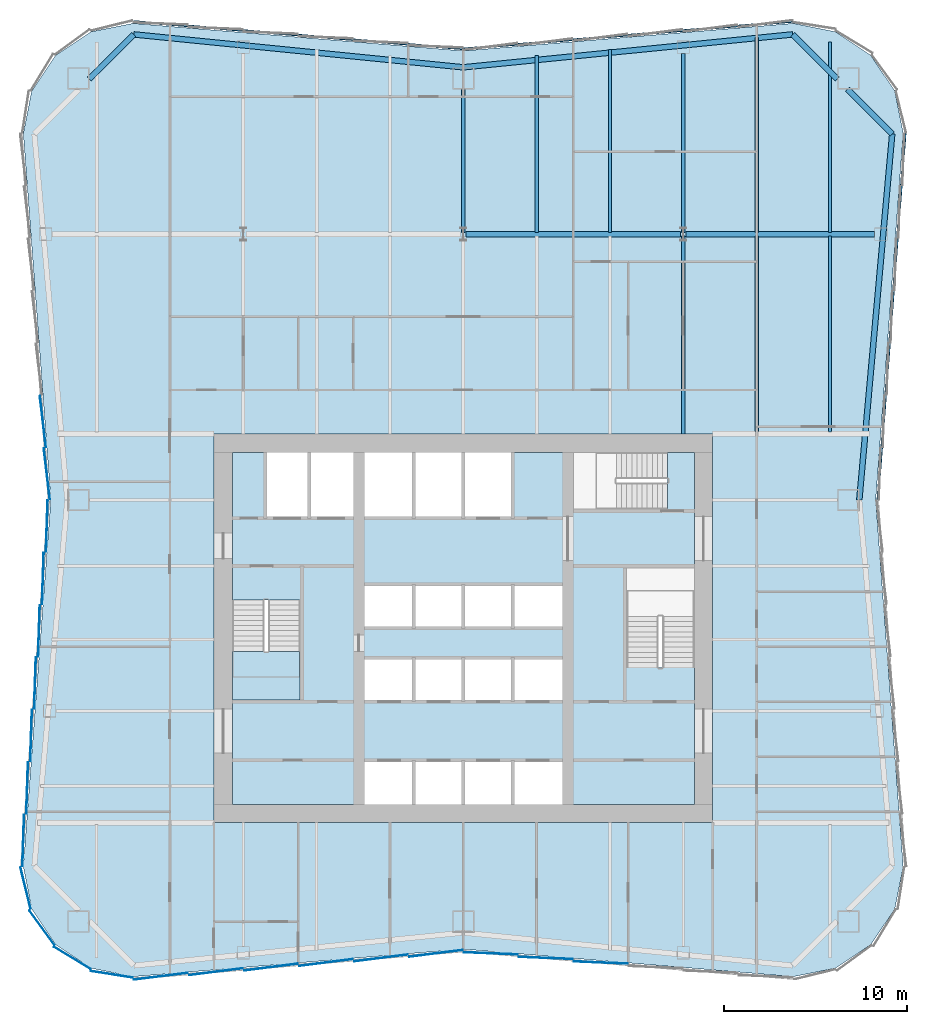
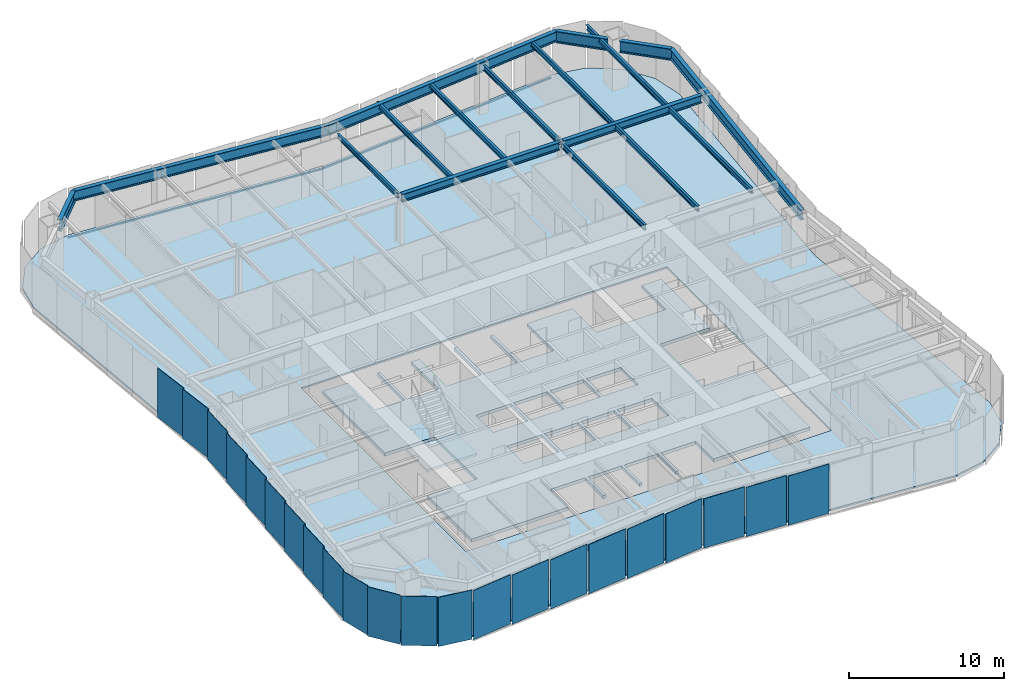
# One storey, part 2 of 8: 22 plates, 17 beams, 3 members, 3 slabs, 6 elements without a shape of their own.
"""IFC4 building model written with IfcOpenShell, lengths in metres."""

from ifc_helpers import new_model, si_unit, direction, frame, origin, origin_2d, place, context, subcontext, project, spatial, polyline, rectangle, i_section, outline, extrude, material, layer, layer_set, material_profile, profile_set, type_object, element, aggregate, save


model = new_model("IFC4")

# Units and contexts
model_context = context("Model", 3, precision=1e-05, world=origin(), true_north=direction((0.0, 1.0)))
body_context = subcontext(model_context, "Body", "Model", "MODEL_VIEW")
ifc_project = project(units=[si_unit("LENGTHUNIT", "METRE"), si_unit("AREAUNIT", "SQUARE_METRE"), si_unit("VOLUMEUNIT", "CUBIC_METRE"), si_unit("PLANEANGLEUNIT", "RADIAN"), si_unit("MASSUNIT", "GRAM", prefix="KILO")], contexts=[model_context])

# Site, building, storey
site_placement = place(None, origin())
site = spatial("IfcSite", under=ifc_project, at=site_placement, CompositionType="ELEMENT")
building_placement = place(site_placement, origin())
building = spatial("IfcBuilding", under=site, at=building_placement, Name="Verdant Reach Tower", CompositionType="ELEMENT")
storey_placement = place(building_placement, frame((0.0, 0.0, 154.0)))
storey = spatial("IfcBuildingStorey", under=building, at=storey_placement, Name="L35", CompositionType="ELEMENT", Elevation=154.0)

# Curtain wall, member
ifc_material_1 = material(Name="Anodised aluminium", Category="aluminium")
curtain_wall_type = type_object("IfcCurtainWallType", Name="EN-CW SYSTEM Z2", PredefinedType="NOTDEFINED", material=ifc_material_1)
curtain_wall_1_placement = place(storey_placement, origin())
curtain_wall_1 = element("IfcCurtainWall", 1, at=curtain_wall_1_placement, inside=storey, type_object=curtain_wall_type, Name="Curtain wall east, L35", PredefinedType="NOTDEFINED")
ifc_material_profile_1 = material_profile(ifc_material_1, rectangle(XDim=0.10009765625, YDim=0.1240234375, at=origin_2d()), Name="Transom 124x100")
ifc_profile_set_1 = profile_set([ifc_material_profile_1], Name="Anodised aluminium")
member_type = type_object("IfcMemberType", Name="EN-TRANSOM Z2", PredefinedType="USERDEFINED", material=ifc_profile_set_1)
member_1_placement = place(storey_placement, frame((22.6083984375, 35.031982421875, -0.2880859375), z_axis=(0.07476111665, 0.997201471839, 0.0), x_axis=(-0.997201471839, 0.07476111665, 0.0)))
member_1 = element("IfcMember", 2, at=member_1_placement, type_object=member_type, Name="Transom east face part 2 1.1, L35", ObjectType="TRANSOM", PredefinedType="USERDEFINED", context=body_context, shape_type="SweptSolid", body=[
    extrude(rectangle(XDim=0.10009765625, YDim=0.1240234375, at=origin_2d()), origin(), (0.0, 0.0, 1.0), 19.99853515625),
])
aggregate(curtain_wall_1, [member_1])

# Curtain wall, members
curtain_wall_2_placement = place(storey_placement, origin())
curtain_wall_2 = element("IfcCurtainWall", 3, at=curtain_wall_2_placement, inside=storey, type_object=curtain_wall_type, Name="Curtain wall north, L35", PredefinedType="NOTDEFINED")
member_2_placement = place(storey_placement, frame((17.97412109375, 61.103271484375, -0.2880859375), z_axis=(-0.996548282776, -0.083015179915, 0.0), x_axis=(0.083015179915, -0.996548282776, 0.0)))
member_2 = element("IfcMember", 4, at=member_2_placement, type_object=member_type, Name="Transom north face part 1 1.1, L35", ObjectType="TRANSOM", PredefinedType="USERDEFINED", context=body_context, shape_type="SweptSolid", body=[
    extrude(rectangle(XDim=0.10009765625, YDim=0.1240234375, at=origin_2d()), origin(), (0.0, 0.0, 1.0), 18.00439453125),
])
member_3_placement = place(storey_placement, frame((-0.031982421875, 59.608642578125, -0.2880859375), z_axis=(-0.996548282776, 0.083015179915, 0.0), x_axis=(-0.083015179915, -0.996548282776, 0.0)))
member_3 = element("IfcMember", 5, at=member_3_placement, type_object=member_type, Name="Transom north face part 2 1.1, L35", ObjectType="TRANSOM", PredefinedType="USERDEFINED", context=body_context, shape_type="SweptSolid", body=[
    extrude(rectangle(XDim=0.10009765625, YDim=0.1240234375, at=origin_2d()), origin(), (0.0, 0.0, 1.0), 18.00439453125),
])
aggregate(curtain_wall_2, [member_2, member_3])

# Beams
ifc_material_2 = material(Name="Steel S355", Category="steel")
ifc_material_profile_2 = material_profile(ifc_material_2, i_section(OverallWidth=0.300048828125, OverallDepth=0.60009765625, WebThickness=0.015380859375, FlangeThickness=0.030029296875, FilletRadius=0.027099609375, at=origin_2d()), Name="HEB 600")
ifc_profile_set_2 = profile_set([ifc_material_profile_2], Name="Steel S355")
beam_type_1 = type_object("IfcBeamType", Name="ST-BEAM-HEB600", PredefinedType="BEAM", material=ifc_profile_set_2)
beam_1_placement = place(storey_placement, frame((0.154052734375, 49.5, 3.570068359375), z_axis=(1.0, 0.0, 0.0), x_axis=(0.0, 1.0, 0.0)))
element("IfcBeam", 6, at=beam_1_placement, inside=storey, type_object=beam_type_1, Name="Row girder, L35", PredefinedType="BEAM", context=body_context, shape_type="SweptSolid", body=[
    extrude(i_section(OverallWidth=0.300048828125, OverallDepth=0.60009765625, WebThickness=0.015380859375, FlangeThickness=0.030029296875, FilletRadius=0.027099609375, at=origin_2d()), origin(), (0.0, 0.0, 1.0), 11.69189453125),
])
beam_2_placement = place(storey_placement, frame((12.154052734375, 49.5, 3.570068359375), z_axis=(1.0, 0.0, 0.0), x_axis=(0.0, 1.0, 0.0)))
element("IfcBeam", 7, at=beam_2_placement, inside=storey, type_object=beam_type_1, Name="Row girder, L35", PredefinedType="BEAM", context=body_context, shape_type="SweptSolid", body=[
    extrude(i_section(OverallWidth=0.300048828125, OverallDepth=0.60009765625, WebThickness=0.015380859375, FlangeThickness=0.030029296875, FilletRadius=0.027099609375, at=origin_2d()), origin(), (0.0, 0.0, 1.0), 10.283447265625),
])
ifc_material_profile_3 = material_profile(ifc_material_2, i_section(OverallWidth=0.169921875, OverallDepth=0.360107421875, WebThickness=0.008056640625, FlangeThickness=0.0126953125, FilletRadius=0.01806640625, at=origin_2d()), Name="IPE 360")
ifc_profile_set_3 = profile_set([ifc_material_profile_3], Name="Steel S355")
beam_type_2 = type_object("IfcBeamType", Name="ST-JOIST-IPE360", PredefinedType="JOIST", material=ifc_profile_set_3)
beam_3_placement = place(storey_placement, frame((0.0, 49.60009765625, 3.68994140625), z_axis=(0.0, 1.0, 0.0), x_axis=(-1.0, 0.0, 0.0)))
element("IfcBeam", 8, at=beam_3_placement, inside=storey, type_object=beam_type_2, Name="Floor joist, L35", PredefinedType="JOIST", context=body_context, shape_type="SweptSolid", body=[
    extrude(i_section(OverallWidth=0.169921875, OverallDepth=0.360107421875, WebThickness=0.008056640625, FlangeThickness=0.0126953125, FilletRadius=0.01806640625, at=origin_2d()), origin(), (0.0, 0.0, 1.0), 7.7998046875),
])
ifc_material_profile_4 = material_profile(ifc_material_2, i_section(OverallWidth=0.179931640625, OverallDepth=0.39990234375, WebThickness=0.008544921875, FlangeThickness=0.013427734375, FilletRadius=0.02099609375, at=origin_2d()), Name="IPE 400")
ifc_profile_set_4 = profile_set([ifc_material_profile_4], Name="Steel S355")
beam_type_3 = type_object("IfcBeamType", Name="ST-JOIST-IPE400", PredefinedType="JOIST", material=ifc_profile_set_4)
beam_4_placement = place(storey_placement, frame((4.0, 49.60009765625, 3.669921875), z_axis=(0.0, 1.0, 0.0), x_axis=(-1.0, 0.0, 0.0)))
element("IfcBeam", 9, at=beam_4_placement, inside=storey, type_object=beam_type_3, Name="Floor joist, L35", PredefinedType="JOIST", context=body_context, shape_type="SweptSolid", body=[
    extrude(i_section(OverallWidth=0.179931640625, OverallDepth=0.39990234375, WebThickness=0.008544921875, FlangeThickness=0.013427734375, FilletRadius=0.02099609375, at=origin_2d()), origin(), (0.0, 0.0, 1.0), 9.631103515625),
])
beam_5_placement = place(storey_placement, frame((8.0, 49.60009765625, 3.669921875), z_axis=(0.0, 1.0, 0.0), x_axis=(-1.0, 0.0, 0.0)))
element("IfcBeam", 10, at=beam_5_placement, inside=storey, type_object=beam_type_3, Name="Floor joist, L35", PredefinedType="JOIST", context=body_context, shape_type="SweptSolid", body=[
    extrude(i_section(OverallWidth=0.179931640625, OverallDepth=0.39990234375, WebThickness=0.008544921875, FlangeThickness=0.013427734375, FilletRadius=0.02099609375, at=origin_2d()), origin(), (0.0, 0.0, 1.0), 9.964599609375),
])
beam_6_placement = place(storey_placement, frame((12.0, 38.60009765625, 3.669921875), z_axis=(0.0, 1.0, 0.0), x_axis=(-1.0, 0.0, 0.0)))
element("IfcBeam", 11, at=beam_6_placement, inside=storey, type_object=beam_type_3, Name="Floor joist, L35", PredefinedType="JOIST", context=body_context, shape_type="SweptSolid", body=[
    extrude(i_section(OverallWidth=0.179931640625, OverallDepth=0.39990234375, WebThickness=0.008544921875, FlangeThickness=0.013427734375, FilletRadius=0.02099609375, at=origin_2d()), origin(), (0.0, 0.0, 1.0), 10.7998046875),
])
beam_7_placement = place(storey_placement, frame((12.0, 49.60009765625, 3.669921875), z_axis=(0.0, 1.0, 0.0), x_axis=(-1.0, 0.0, 0.0)))
element("IfcBeam", 12, at=beam_7_placement, inside=storey, type_object=beam_type_3, Name="Floor joist, L35", PredefinedType="JOIST", context=body_context, shape_type="SweptSolid", body=[
    extrude(i_section(OverallWidth=0.179931640625, OverallDepth=0.39990234375, WebThickness=0.008544921875, FlangeThickness=0.013427734375, FilletRadius=0.02099609375, at=origin_2d()), origin(), (0.0, 0.0, 1.0), 9.75),
])
beam_8_placement = place(storey_placement, frame((16.0, 38.699951171875, 3.669921875), z_axis=(0.0, 1.0, 0.0), x_axis=(-1.0, 0.0, 0.0)))
element("IfcBeam", 13, at=beam_8_placement, inside=storey, type_object=beam_type_3, Name="Floor joist, L35", PredefinedType="JOIST", context=body_context, shape_type="SweptSolid", body=[
    extrude(i_section(OverallWidth=0.179931640625, OverallDepth=0.39990234375, WebThickness=0.008544921875, FlangeThickness=0.013427734375, FilletRadius=0.02099609375, at=origin_2d()), origin(), (0.0, 0.0, 1.0), 10.699951171875),
])
beam_9_placement = place(storey_placement, frame((16.0, 49.60009765625, 3.669921875), z_axis=(0.0, 1.0, 0.0), x_axis=(-1.0, 0.0, 0.0)))
element("IfcBeam", 14, at=beam_9_placement, inside=storey, type_object=beam_type_3, Name="Floor joist, L35", PredefinedType="JOIST", context=body_context, shape_type="SweptSolid", body=[
    extrude(i_section(OverallWidth=0.179931640625, OverallDepth=0.39990234375, WebThickness=0.008544921875, FlangeThickness=0.013427734375, FilletRadius=0.02099609375, at=origin_2d()), origin(), (0.0, 0.0, 1.0), 10.631103515625),
])
beam_10_placement = place(storey_placement, frame((20.0, 38.699951171875, 3.669921875), z_axis=(0.0, 1.0, 0.0), x_axis=(-1.0, 0.0, 0.0)))
element("IfcBeam", 15, at=beam_10_placement, inside=storey, type_object=beam_type_3, Name="Floor joist, L35", PredefinedType="JOIST", context=body_context, shape_type="SweptSolid", body=[
    extrude(i_section(OverallWidth=0.179931640625, OverallDepth=0.39990234375, WebThickness=0.008544921875, FlangeThickness=0.013427734375, FilletRadius=0.02099609375, at=origin_2d()), origin(), (0.0, 0.0, 1.0), 10.699951171875),
])
beam_11_placement = place(storey_placement, frame((20.0, 49.60009765625, 3.669921875), z_axis=(0.0, 1.0, 0.0), x_axis=(-1.0, 0.0, 0.0)))
element("IfcBeam", 16, at=beam_11_placement, inside=storey, type_object=beam_type_3, Name="Floor joist, L35", PredefinedType="JOIST", context=body_context, shape_type="SweptSolid", body=[
    extrude(i_section(OverallWidth=0.179931640625, OverallDepth=0.39990234375, WebThickness=0.008544921875, FlangeThickness=0.013427734375, FilletRadius=0.02099609375, at=origin_2d()), origin(), (0.0, 0.0, 1.0), 10.390380859375),
])
ifc_material_profile_5 = material_profile(ifc_material_2, i_section(OverallWidth=0.300048828125, OverallDepth=0.800048828125, WebThickness=0.017578125, FlangeThickness=0.032958984375, FilletRadius=0.030029296875, at=origin_2d()), Name="HEB 800")
ifc_profile_set_5 = profile_set([ifc_material_profile_5], Name="Steel S355")
beam_type_4 = type_object("IfcBeamType", Name="ST-SPANDREL-HEB800", PredefinedType="SPANDREL", material=ifc_profile_set_5)
for number, where, z_axis, x_axis, name in (
    (17, (-17.9658203125, 60.39501953125, 3.469970703125), (0.995046289869, -0.099412680371, 0.0), (0.099412680371, 0.995046289869, 0.0), "Edge beam, L35"),
    (18, (0.0, 58.60009765625, 3.469970703125), (0.995046289869, 0.099412680371, 0.0), (-0.099412680371, 0.995046289869, 0.0), "Edge beam, L35"),
):
    element("IfcBeam", number, at=place(storey_placement, frame(where, z_axis=z_axis, x_axis=x_axis)), inside=storey, type_object=beam_type_4, Name=name, PredefinedType="SPANDREL", context=body_context, shape_type="SweptSolid", body=[
        extrude(i_section(OverallWidth=0.300048828125, OverallDepth=0.800048828125, WebThickness=0.017578125, FlangeThickness=0.032958984375, FilletRadius=0.030029296875, at=origin_2d()), origin(), (0.0, 0.0, 1.0), 18.05517578125),
    ])
beam_12_placement = place(storey_placement, frame((23.3955078125, 54.963134765625, 3.469970703125), z_axis=(-0.089574749266, -0.995980102358, 0.0), x_axis=(0.995980102358, -0.089574749266, 0.0)))
element("IfcBeam", 19, at=beam_12_placement, inside=storey, type_object=beam_type_4, Name="Edge beam, L35", PredefinedType="SPANDREL", context=body_context, shape_type="SweptSolid", body=[
    extrude(i_section(OverallWidth=0.300048828125, OverallDepth=0.800048828125, WebThickness=0.017578125, FlangeThickness=0.032958984375, FilletRadius=0.030029296875, at=origin_2d()), origin(), (0.0, 0.0, 1.0), 20.043701171875),
])
ifc_material_profile_6 = material_profile(ifc_material_2, i_section(OverallWidth=0.302001953125, OverallDepth=0.909912109375, WebThickness=0.02099609375, FlangeThickness=0.0400390625, FilletRadius=0.030029296875, at=origin_2d()), Name="HEM 900")
ifc_profile_set_6 = profile_set([ifc_material_profile_6], Name="Steel S355")
beam_type_5 = type_object("IfcBeamType", Name="ST-SPANDREL-HEM900", PredefinedType="SPANDREL", material=ifc_profile_set_6)
for number, where, z_axis, x_axis, name in (
    (20, (-20.39990234375, 57.9599609375, 3.4150390625), (0.70696494852, 0.70724858541, 0.0), (-0.70724858541, 0.70696494852, 0.0), "Edge beam, L35"),
    (21, (17.9658203125, 60.39501953125, 3.4150390625), (0.70696494852, -0.70724858541, 0.0), (0.70724858541, 0.70696494852, 0.0), "Edge beam, L35"),
):
    element("IfcBeam", number, at=place(storey_placement, frame(where, z_axis=z_axis, x_axis=x_axis)), inside=storey, type_object=beam_type_5, Name=name, PredefinedType="SPANDREL", context=body_context, shape_type="SweptSolid", body=[
        extrude(i_section(OverallWidth=0.302001953125, OverallDepth=0.909912109375, WebThickness=0.02099609375, FlangeThickness=0.0400390625, FilletRadius=0.030029296875, at=origin_2d()), origin(), (0.0, 0.0, 1.0), 3.443115234375),
    ])
beam_13_placement = place(storey_placement, frame((20.959716796875, 57.39990234375, 3.4150390625), z_axis=(0.706965048022, -0.707248485948, 0.0), x_axis=(0.707248485948, 0.706965048022, 0.0)))
element("IfcBeam", 22, at=beam_13_placement, inside=storey, type_object=beam_type_5, Name="Edge beam, L35", PredefinedType="SPANDREL", context=body_context, shape_type="SweptSolid", body=[
    extrude(i_section(OverallWidth=0.302001953125, OverallDepth=0.909912109375, WebThickness=0.02099609375, FlangeThickness=0.0400390625, FilletRadius=0.030029296875, at=origin_2d()), origin(), (0.0, 0.0, 1.0), 3.4453125),
])

# Stair, slab
ifc_material_3 = material(Name="Concrete C40/50", Category="concrete")
stair_type = type_object("IfcStairType", Name="CO-STAIR", PredefinedType="HALF_TURN_STAIR", material=ifc_material_3)
stair_placement = place(storey_placement, origin())
stair = element("IfcStair", 23, at=stair_placement, inside=storey, type_object=stair_type, Name="L35 Exit stair 1", PredefinedType="HALF_TURN_STAIR")
ifc_layer_1 = layer(ifc_material_3, 0.199951171875)
ifc_layer_set_1 = layer_set([ifc_layer_1], Name="CO-STAIR-LANDING")
slab_type_1 = type_object("IfcSlabType", Name="CO-STAIR-LANDING", PredefinedType="LANDING", material=ifc_layer_set_1)
slab_1_placement = place(storey_placement, frame((0.0, 0.0, 1.800048828125)))
slab_1 = element("IfcSlab", 24, at=slab_1_placement, type_object=slab_type_1, Name="ST-1 landing 1", PredefinedType="LANDING", context=body_context, shape_type="SweptSolid", body=[
    extrude(outline(polyline([(-12.60009765625, 26.75), (-12.60009765625, 24.10009765625), (-8.89990234375, 24.10009765625), (-8.89990234375, 26.75), (-12.60009765625, 26.75)])), origin(), (0.0, 0.0, 1.0), 0.199951171875),
])
aggregate(stair, [slab_1])

# Curtain wall, plates
curtain_wall_3_placement = place(storey_placement, origin())
curtain_wall_3 = element("IfcCurtainWall", 25, at=curtain_wall_3_placement, inside=storey, type_object=curtain_wall_type, Name="Curtain wall west, L35", PredefinedType="NOTDEFINED")
ifc_material_4 = material(Name="Tinted glass with champagne spandrel", Category="glass")
ifc_layer_2 = layer(ifc_material_4, 0.031982421875)
ifc_layer_set_2 = layer_set([ifc_layer_2], Name="EN-PANEL CHAMPAGNE")
plate_type_1 = type_object("IfcPlateType", Name="EN-PANEL CHAMPAGNE", PredefinedType="CURTAIN_PANEL", material=ifc_layer_set_2)
plate_1_placement = place(storey_placement, frame((-22.92724609375, 39.27783203125, -0.22607421875), z_axis=(0.0, 0.0, 1.0), x_axis=(0.116482717753, -0.993192718693, 0.0)))
plate_1 = element("IfcPlate", 26, at=plate_1_placement, type_object=plate_type_1, Name="Glass panel west face part 1 6.1, L35", PredefinedType="CURTAIN_PANEL", context=body_context, shape_type="SweptSolid", body=[
    extrude(rectangle(XDim=2.80517578125, YDim=0.031982421875, at=origin_2d()), origin(), (0.0, 0.0, 1.0), 3.8759765625),
])
plate_2_placement = place(storey_placement, frame((-23.7841796875, 19.293701171875, -0.22607421875), z_axis=(0.0, 0.0, 1.0), x_axis=(-0.032965971753, -0.999456474643, 0.0)))
plate_2 = element("IfcPlate", 27, at=plate_2_placement, type_object=plate_type_1, Name="Glass panel west face part 2 6.1, L35", PredefinedType="CURTAIN_PANEL", context=body_context, shape_type="SweptSolid", body=[
    extrude(rectangle(XDim=2.80517578125, YDim=0.031982421875, at=origin_2d()), origin(), (0.0, 0.0, 1.0), 3.8759765625),
])
plate_3_placement = place(storey_placement, frame((-23.99853515625, 16.42919921875, -0.22607421875), z_axis=(0.0, 0.0, 1.0), x_axis=(-0.032628234484, -0.99946755741, 0.0)))
plate_3 = element("IfcPlate", 28, at=plate_3_placement, type_object=plate_type_1, Name="Glass panel west face part 2 7.1, L35", PredefinedType="CURTAIN_PANEL", context=body_context, shape_type="SweptSolid", body=[
    extrude(rectangle(XDim=2.819580078125, YDim=0.031982421875, at=origin_2d()), origin(), (0.0, 0.0, 1.0), 3.8759765625),
])

curtain_wall_4_placement = place(storey_placement, origin())
curtain_wall_4 = element("IfcCurtainWall", 29, at=curtain_wall_4_placement, inside=storey, type_object=curtain_wall_type, Name="Curtain wall south, L35", PredefinedType="NOTDEFINED")
plate_4_placement = place(storey_placement, frame((-10.4912109375, 9.519287109375, -0.22607421875), z_axis=(0.0, 0.0, 1.0), x_axis=(0.992194034542, 0.124703639961, 0.0)))
plate_4 = element("IfcPlate", 30, at=plate_4_placement, type_object=plate_type_1, Name="Glass panel south face part 1 3.1, L35", PredefinedType="CURTAIN_PANEL", context=body_context, shape_type="SweptSolid", body=[
    extrude(rectangle(XDim=2.950439453125, YDim=0.031982421875, at=origin_2d()), origin(), (0.0, 0.0, 1.0), 3.8759765625),
])
plate_5_placement = place(storey_placement, frame((-7.4912109375, 9.769287109375, -0.22607421875), z_axis=(0.0, 0.0, 1.0), x_axis=(0.992194034542, 0.124703639961, 0.0)))
plate_5 = element("IfcPlate", 31, at=plate_5_placement, type_object=plate_type_1, Name="Glass panel south face part 1 4.1, L35", PredefinedType="CURTAIN_PANEL", context=body_context, shape_type="SweptSolid", body=[
    extrude(rectangle(XDim=2.950439453125, YDim=0.031982421875, at=origin_2d()), origin(), (0.0, 0.0, 1.0), 3.8759765625),
])

# Plate
ifc_material_5 = material(Name="Tinted glass with copper spandrel", Category="glass")
ifc_layer_3 = layer(ifc_material_5, 0.031982421875)
ifc_layer_set_3 = layer_set([ifc_layer_3], Name="EN-PANEL COPPER")
plate_type_2 = type_object("IfcPlateType", Name="EN-PANEL COPPER", PredefinedType="CURTAIN_PANEL", material=ifc_layer_set_3)
plate_6_placement = place(storey_placement, frame((-22.712890625, 36.424560546875, -0.22607421875), z_axis=(0.0, 0.0, 1.0), x_axis=(0.116585911919, -0.993180610535, 0.0)))
plate_6 = element("IfcPlate", 32, at=plate_6_placement, type_object=plate_type_2, Name="Glass panel west face part 1 7.1, L35", PredefinedType="CURTAIN_PANEL", context=body_context, shape_type="SweptSolid", body=[
    extrude(rectangle(XDim=2.797119140625, YDim=0.031982421875, at=origin_2d()), origin(), (0.0, 0.0, 1.0), 3.8759765625),
])

plate_7_placement = place(storey_placement, frame((-22.712890625, 33.575439453125, -0.22607421875), z_axis=(0.0, 0.0, 1.0), x_axis=(-0.033069817188, -0.999453044015, 0.0)))
plate_7 = element("IfcPlate", 33, at=plate_7_placement, type_object=plate_type_2, Name="Glass panel west face part 2 1.1, L35", PredefinedType="CURTAIN_PANEL", context=body_context, shape_type="SweptSolid", body=[
    extrude(rectangle(XDim=2.797119140625, YDim=0.031982421875, at=origin_2d()), origin(), (0.0, 0.0, 1.0), 3.8759765625),
])

plate_8_placement = place(storey_placement, frame((-22.92724609375, 30.72216796875, -0.22607421875), z_axis=(0.0, 0.0, 1.0), x_axis=(-0.032965971753, -0.999456474643, 0.0)))
plate_8 = element("IfcPlate", 34, at=plate_8_placement, type_object=plate_type_2, Name="Glass panel west face part 2 2.1, L35", PredefinedType="CURTAIN_PANEL", context=body_context, shape_type="SweptSolid", body=[
    extrude(rectangle(XDim=2.80517578125, YDim=0.031982421875, at=origin_2d()), origin(), (0.0, 0.0, 1.0), 3.8759765625),
])

plate_9_placement = place(storey_placement, frame((-23.141357421875, 27.864990234375, -0.22607421875), z_axis=(0.0, 0.0, 1.0), x_axis=(-0.032965971753, -0.999456474643, 0.0)))
plate_9 = element("IfcPlate", 35, at=plate_9_placement, type_object=plate_type_2, Name="Glass panel west face part 2 3.1, L35", PredefinedType="CURTAIN_PANEL", context=body_context, shape_type="SweptSolid", body=[
    extrude(rectangle(XDim=2.80517578125, YDim=0.031982421875, at=origin_2d()), origin(), (0.0, 0.0, 1.0), 3.8759765625),
])

# Curtain wall, plate
curtain_wall_5_placement = place(storey_placement, origin())
curtain_wall_5 = element("IfcCurtainWall", 36, at=curtain_wall_5_placement, inside=storey, type_object=curtain_wall_type, Name="Curtain wall south-west corner, L35", PredefinedType="NOTDEFINED")
plate_10_placement = place(storey_placement, frame((-23.87353515625, 13.828369140625, -0.22607421875), z_axis=(0.0, 0.0, 1.0), x_axis=(0.236416170006, -0.971651889598, 0.0)))
plate_10 = element("IfcPlate", 37, at=plate_10_placement, type_object=plate_type_2, Name="Glass panel south-west corner 1.1, L35", PredefinedType="CURTAIN_PANEL", context=body_context, shape_type="SweptSolid", body=[
    extrude(rectangle(XDim=2.316162109375, YDim=0.031982421875, at=origin_2d()), origin(), (0.0, 0.0, 1.0), 3.8759765625),
])

# Plate
plate_11_placement = place(storey_placement, frame((-4.4912109375, 10.019287109375, -0.22607421875), z_axis=(0.0, 0.0, 1.0), x_axis=(0.992194034542, 0.124703639961, 0.0)))
plate_11 = element("IfcPlate", 38, at=plate_11_placement, type_object=plate_type_2, Name="Glass panel south face part 1 5.1, L35", PredefinedType="CURTAIN_PANEL", context=body_context, shape_type="SweptSolid", body=[
    extrude(rectangle(XDim=2.950439453125, YDim=0.031982421875, at=origin_2d()), origin(), (0.0, 0.0, 1.0), 3.8759765625),
])

plate_12_placement = place(storey_placement, frame((-1.49560546875, 10.269287109375, -0.22607421875), z_axis=(0.0, 0.0, 1.0), x_axis=(0.992178815188, 0.12482467181, 0.0)))
plate_12 = element("IfcPlate", 39, at=plate_12_placement, type_object=plate_type_2, Name="Glass panel south face part 1 6.1, L35", PredefinedType="CURTAIN_PANEL", context=body_context, shape_type="SweptSolid", body=[
    extrude(rectangle(XDim=2.941650390625, YDim=0.031982421875, at=origin_2d()), origin(), (0.0, 0.0, 1.0), 3.8759765625),
])

plate_13_placement = place(storey_placement, frame((1.49560546875, 10.269287109375, -0.22607421875), z_axis=(0.0, 0.0, 1.0), x_axis=(0.999144163765, -0.041363510662, 0.0)))
plate_13 = element("IfcPlate", 40, at=plate_13_placement, type_object=plate_type_2, Name="Glass panel south face part 2 1.1, L35", PredefinedType="CURTAIN_PANEL", context=body_context, shape_type="SweptSolid", body=[
    extrude(rectangle(XDim=2.941650390625, YDim=0.031982421875, at=origin_2d()), origin(), (0.0, 0.0, 1.0), 3.8759765625),
])

ifc_material_6 = material(Name="Tinted glass with dark bronze spandrel", Category="glass")
ifc_layer_4 = layer(ifc_material_6, 0.031982421875)
ifc_layer_set_4 = layer_set([ifc_layer_4], Name="EN-PANEL DARK")
plate_type_3 = type_object("IfcPlateType", Name="EN-PANEL DARK", PredefinedType="CURTAIN_PANEL", material=ifc_layer_set_4)
plate_14_placement = place(storey_placement, frame((-23.355712890625, 25.0078125, -0.22607421875), z_axis=(0.0, 0.0, 1.0), x_axis=(-0.032965971753, -0.999456474643, 0.0)))
plate_14 = element("IfcPlate", 41, at=plate_14_placement, type_object=plate_type_3, Name="Glass panel west face part 2 4.1, L35", PredefinedType="CURTAIN_PANEL", context=body_context, shape_type="SweptSolid", body=[
    extrude(rectangle(XDim=2.80517578125, YDim=0.031982421875, at=origin_2d()), origin(), (0.0, 0.0, 1.0), 3.8759765625),
])

plate_15_placement = place(storey_placement, frame((-23.570068359375, 22.15087890625, -0.22607421875), z_axis=(0.0, 0.0, 1.0), x_axis=(-0.032965971753, -0.999456474643, 0.0)))
plate_15 = element("IfcPlate", 42, at=plate_15_placement, type_object=plate_type_3, Name="Glass panel west face part 2 5.1, L35", PredefinedType="CURTAIN_PANEL", context=body_context, shape_type="SweptSolid", body=[
    extrude(rectangle(XDim=2.80517578125, YDim=0.031982421875, at=origin_2d()), origin(), (0.0, 0.0, 1.0), 3.8759765625),
])

aggregate(curtain_wall_3, [plate_1, plate_6, plate_7, plate_8, plate_9, plate_14, plate_15, plate_2, plate_3])

plate_16_placement = place(storey_placement, frame((-22.9794921875, 11.6728515625, -0.22607421875), z_axis=(0.0, 0.0, 1.0), x_axis=(0.589926757843, -0.807456760688, 0.0)))
plate_16 = element("IfcPlate", 43, at=plate_16_placement, type_object=plate_type_3, Name="Glass panel south-west corner 2.1, L35", PredefinedType="CURTAIN_PANEL", context=body_context, shape_type="SweptSolid", body=[
    extrude(rectangle(XDim=2.322509765625, YDim=0.031982421875, at=origin_2d()), origin(), (0.0, 0.0, 1.0), 3.8759765625),
])

plate_17_placement = place(storey_placement, frame((-21.3271484375, 10.0205078125, -0.22607421875), z_axis=(0.0, 0.0, 1.0), x_axis=(0.853988694998, -0.520291561353, 0.0)))
plate_17 = element("IfcPlate", 44, at=plate_17_placement, type_object=plate_type_3, Name="Glass panel south-west corner 3.1, L35", PredefinedType="CURTAIN_PANEL", context=body_context, shape_type="SweptSolid", body=[
    extrude(rectangle(XDim=2.322509765625, YDim=0.031982421875, at=origin_2d()), origin(), (0.0, 0.0, 1.0), 3.8759765625),
])

plate_18_placement = place(storey_placement, frame((-19.17138671875, 9.12646484375, -0.22607421875), z_axis=(0.0, 0.0, 1.0), x_axis=(0.988030887576, -0.154256167447, 0.0)))
plate_18 = element("IfcPlate", 45, at=plate_18_placement, type_object=plate_type_3, Name="Glass panel south-west corner 4.1, L35", PredefinedType="CURTAIN_PANEL", context=body_context, shape_type="SweptSolid", body=[
    extrude(rectangle(XDim=2.31640625, YDim=0.031982421875, at=origin_2d()), origin(), (0.0, 0.0, 1.0), 3.8759765625),
])

aggregate(curtain_wall_5, [plate_10, plate_16, plate_17, plate_18])

plate_19_placement = place(storey_placement, frame((-16.49853515625, 9.019287109375, -0.22607421875), z_axis=(0.0, 0.0, 1.0), x_axis=(0.992236570309, 0.124364739946, 0.0)))
plate_19 = element("IfcPlate", 46, at=plate_19_placement, type_object=plate_type_3, Name="Glass panel south face part 1 1.1, L35", PredefinedType="CURTAIN_PANEL", context=body_context, shape_type="SweptSolid", body=[
    extrude(rectangle(XDim=2.965087890625, YDim=0.031982421875, at=origin_2d()), origin(), (0.0, 0.0, 1.0), 3.8759765625),
])

plate_20_placement = place(storey_placement, frame((-13.4912109375, 9.269287109375, -0.22607421875), z_axis=(0.0, 0.0, 1.0), x_axis=(0.992194034542, 0.124703639961, 0.0)))
plate_20 = element("IfcPlate", 47, at=plate_20_placement, type_object=plate_type_3, Name="Glass panel south face part 1 2.1, L35", PredefinedType="CURTAIN_PANEL", context=body_context, shape_type="SweptSolid", body=[
    extrude(rectangle(XDim=2.950439453125, YDim=0.031982421875, at=origin_2d()), origin(), (0.0, 0.0, 1.0), 3.8759765625),
])

plate_21_placement = place(storey_placement, frame((4.4912109375, 10.019287109375, -0.22607421875), z_axis=(0.0, 0.0, 1.0), x_axis=(0.999149202059, -0.041241629766, 0.0)))
plate_21 = element("IfcPlate", 48, at=plate_21_placement, type_object=plate_type_3, Name="Glass panel south face part 2 2.1, L35", PredefinedType="CURTAIN_PANEL", context=body_context, shape_type="SweptSolid", body=[
    extrude(rectangle(XDim=2.950439453125, YDim=0.031982421875, at=origin_2d()), origin(), (0.0, 0.0, 1.0), 3.8759765625),
])

plate_22_placement = place(storey_placement, frame((7.4912109375, 9.769287109375, -0.22607421875), z_axis=(0.0, 0.0, 1.0), x_axis=(0.999149202059, -0.041241629766, 0.0)))
plate_22 = element("IfcPlate", 49, at=plate_22_placement, type_object=plate_type_3, Name="Glass panel south face part 2 3.1, L35", PredefinedType="CURTAIN_PANEL", context=body_context, shape_type="SweptSolid", body=[
    extrude(rectangle(XDim=2.950439453125, YDim=0.031982421875, at=origin_2d()), origin(), (0.0, 0.0, 1.0), 3.8759765625),
])

aggregate(curtain_wall_4, [plate_19, plate_20, plate_4, plate_5, plate_11, plate_12, plate_13, plate_21, plate_22])

# Slabs
ifc_material_7 = material(Name="Concrete C35/45", Category="concrete")
ifc_layer_5 = layer(ifc_material_7, 0.1298828125)
ifc_layer_set_5 = layer_set([ifc_layer_5], Name="ST-SLAB-130")
slab_type_2 = type_object("IfcSlabType", Name="ST-SLAB-130", PredefinedType="FLOOR", material=ifc_layer_set_5)
slab_2_placement = place(storey_placement, frame((0.0, 0.0, -0.1298828125)))
element("IfcSlab", 50, at=slab_2_placement, inside=storey, type_object=slab_type_2, Name="Floor slab L35", PredefinedType="FLOOR", context=body_context, shape_type="SweptSolid", body=[
    extrude(outline(polyline([(0.0, 10.5), (-18.0, 9.0), (-20.296142578125, 9.456787109375), (-22.24267578125, 10.75732421875), (-23.543212890625, 12.703857421875), (-24.0, 15.0), (-22.5, 35.0), (-24.0, 55.0), (-23.543212890625, 57.296142578125), (-22.24267578125, 59.24267578125), (-20.296142578125, 60.543212890625), (-18.0, 61.0), (0.0, 59.5), (18.0, 61.0), (20.296142578125, 60.543212890625), (22.24267578125, 59.24267578125), (23.543212890625, 57.296142578125), (24.0, 55.0), (22.5, 35.0), (24.0, 15.0), (23.543212890625, 12.703857421875), (22.24267578125, 10.75732421875), (20.296142578125, 9.456787109375), (18.0, 9.0), (0.0, 10.5)]), holes=[polyline([(13.60009765625, 38.60009765625), (-13.60009765625, 38.60009765625), (-13.60009765625, 17.39990234375), (13.60009765625, 17.39990234375), (13.60009765625, 38.60009765625)])]), origin(), (0.0, 0.0, 1.0), 0.1298828125),
])
ifc_layer_6 = layer(ifc_material_7, 0.25)
ifc_layer_set_6 = layer_set([ifc_layer_6], Name="ST-SLAB-250")
slab_type_3 = type_object("IfcSlabType", Name="ST-SLAB-250", PredefinedType="FLOOR", material=ifc_layer_set_6)
slab_3_placement = place(storey_placement, frame((0.0, 0.0, -0.25)))
element("IfcSlab", 51, at=slab_3_placement, inside=storey, type_object=slab_type_3, Name="Core floor slab L35", PredefinedType="FLOOR", context=body_context, shape_type="SweptSolid", body=[
    extrude(outline(polyline([(12.60009765625, 18.39990234375), (5.39990234375, 18.39990234375), (5.39990234375, 20.699951171875), (2.800048828125, 20.699951171875), (2.800048828125, 18.39990234375), (2.60009765625, 18.39990234375), (2.60009765625, 20.699951171875), (0.10009765625, 20.699951171875), (0.10009765625, 18.39990234375), (-0.10009765625, 18.39990234375), (-0.10009765625, 20.699951171875), (-2.60009765625, 20.699951171875), (-2.60009765625, 18.39990234375), (-2.800048828125, 18.39990234375), (-2.800048828125, 20.699951171875), (-5.39990234375, 20.699951171875), (-5.39990234375, 18.39990234375), (-12.60009765625, 18.39990234375), (-12.60009765625, 24.10009765625), (-8.89990234375, 24.10009765625), (-8.89990234375, 29.548095703125), (-12.60009765625, 29.548095703125), (-12.60009765625, 37.60009765625), (-10.699951171875, 37.60009765625), (-10.699951171875, 34.10009765625), (-8.5, 34.10009765625), (-8.5, 37.60009765625), (-8.300048828125, 37.60009765625), (-8.300048828125, 34.10009765625), (-6.0, 34.10009765625), (-6.0, 37.60009765625), (-5.39990234375, 37.60009765625), (-5.39990234375, 34.10009765625), (-2.800048828125, 34.10009765625), (-2.800048828125, 37.60009765625), (-2.60009765625, 37.60009765625), (-2.60009765625, 34.10009765625), (-0.10009765625, 34.10009765625), (-0.10009765625, 37.60009765625), (0.10009765625, 37.60009765625), (0.10009765625, 34.10009765625), (2.60009765625, 34.10009765625), (2.60009765625, 37.60009765625), (6.0, 37.60009765625), (6.0, 34.5), (11.14794921875, 34.5), (11.14794921875, 37.60009765625), (12.60009765625, 37.60009765625), (12.60009765625, 31.300048828125), (8.89990234375, 31.300048828125), (8.89990234375, 25.85205078125), (12.60009765625, 25.85205078125), (12.60009765625, 18.39990234375)]), holes=[polyline([(-2.800048828125, 24.10009765625), (-2.800048828125, 26.300048828125), (-5.39990234375, 26.300048828125), (-5.39990234375, 24.10009765625), (-2.800048828125, 24.10009765625)]), polyline([(-2.60009765625, 24.10009765625), (-0.10009765625, 24.10009765625), (-0.10009765625, 26.300048828125), (-2.60009765625, 26.300048828125), (-2.60009765625, 24.10009765625)]), polyline([(-2.800048828125, 28.10009765625), (-2.800048828125, 30.300048828125), (-5.39990234375, 30.300048828125), (-5.39990234375, 28.10009765625), (-2.800048828125, 28.10009765625)]), polyline([(-0.10009765625, 28.10009765625), (-0.10009765625, 30.300048828125), (-2.60009765625, 30.300048828125), (-2.60009765625, 28.10009765625), (-0.10009765625, 28.10009765625)]), polyline([(2.60009765625, 24.10009765625), (2.60009765625, 26.300048828125), (0.10009765625, 26.300048828125), (0.10009765625, 24.10009765625), (2.60009765625, 24.10009765625)]), polyline([(2.800048828125, 24.10009765625), (5.39990234375, 24.10009765625), (5.39990234375, 26.300048828125), (2.800048828125, 26.300048828125), (2.800048828125, 24.10009765625)]), polyline([(2.60009765625, 28.10009765625), (2.60009765625, 30.300048828125), (0.10009765625, 30.300048828125), (0.10009765625, 28.10009765625), (2.60009765625, 28.10009765625)]), polyline([(5.39990234375, 28.10009765625), (5.39990234375, 30.300048828125), (2.800048828125, 30.300048828125), (2.800048828125, 28.10009765625), (5.39990234375, 28.10009765625)])]), origin(), (0.0, 0.0, 1.0), 0.25),
])

save(model, "model.ifc")
